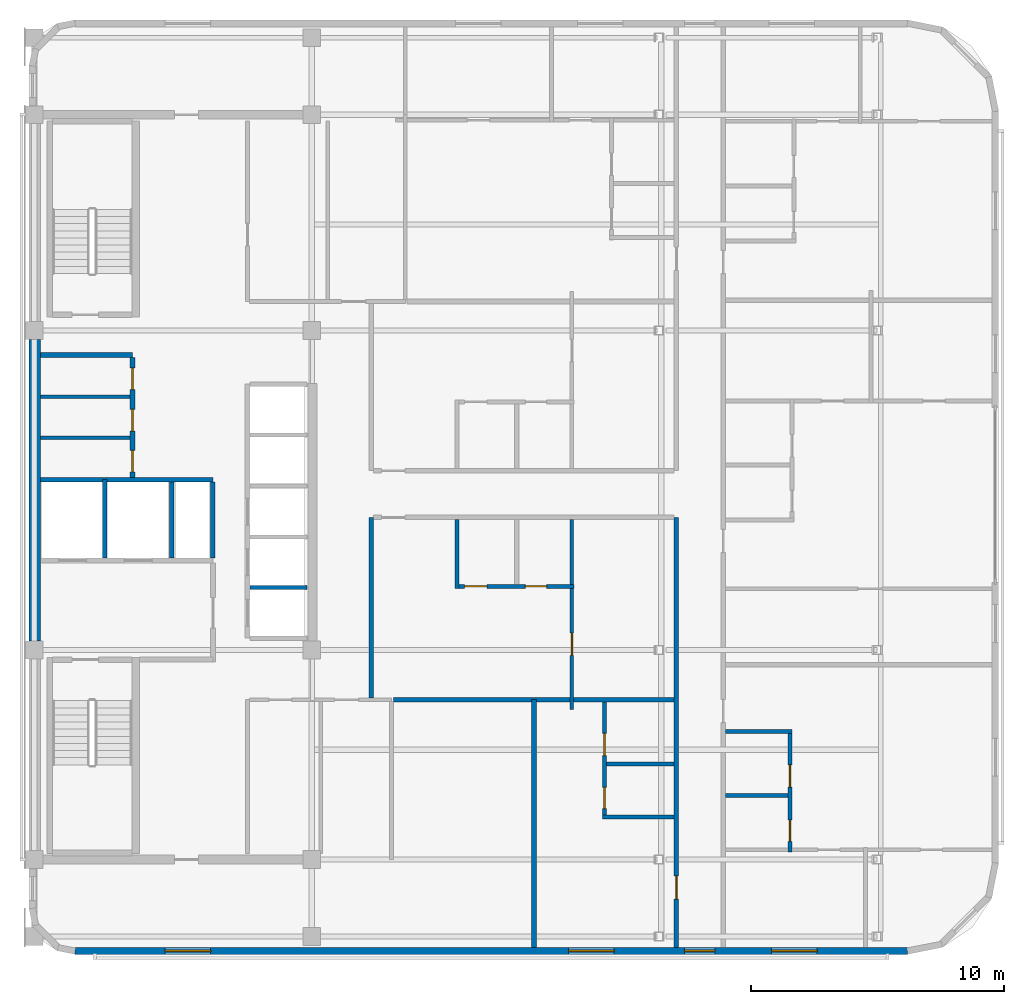
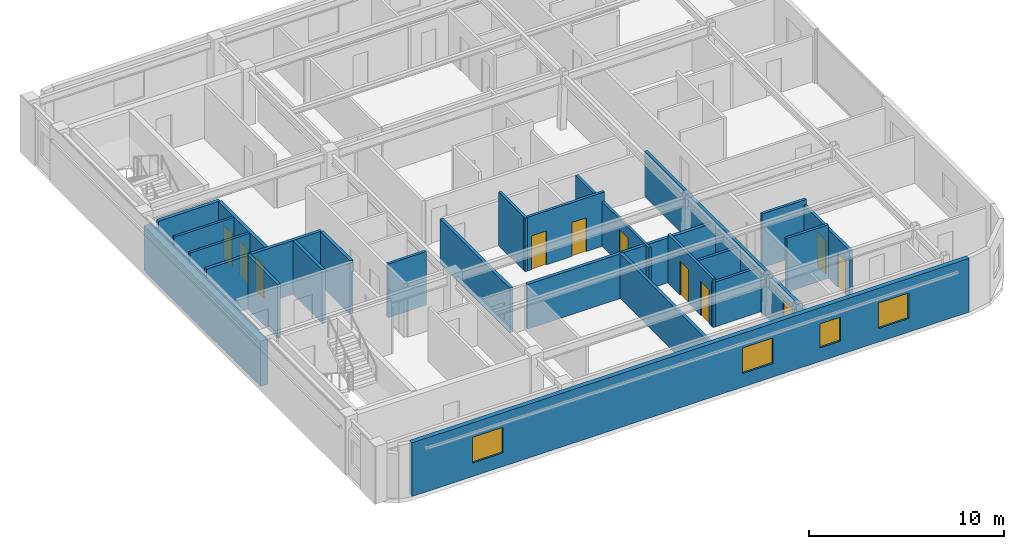
# One storey, part 4 of 10: 24 walls, 11 doors, 4 windows, 15 openings.
"""IFC4 building model written with IfcOpenShell, lengths in metres."""

from ifc_helpers import new_model, si_unit, direction, frame, frame_2d, origin, place, context, subcontext, project, spatial, rectangle, extrude, material, layer, layer_set, type_object, element, fill, save


model = new_model("IFC4")

# Units and contexts
model_context = context("Model", 3, precision=1e-05, world=origin(), true_north=direction((0.0, 1.0)))
body_context = subcontext(model_context, "Body", "Model", "MODEL_VIEW")
ifc_project = project(units=[si_unit("LENGTHUNIT", "METRE"), si_unit("AREAUNIT", "SQUARE_METRE"), si_unit("VOLUMEUNIT", "CUBIC_METRE"), si_unit("PLANEANGLEUNIT", "RADIAN"), si_unit("MASSUNIT", "GRAM", prefix="KILO")], contexts=[model_context])

# Site, building, storey
site_placement = place(None, origin())
site = spatial("IfcSite", under=ifc_project, at=site_placement, CompositionType="ELEMENT")
building_placement = place(site_placement, origin())
building = spatial("IfcBuilding", under=site, at=building_placement, Name="Ochreholt Gables", CompositionType="ELEMENT")
storey_placement = place(building_placement, frame((0.0, 0.0, 256.800048828125)))
storey = spatial("IfcBuildingStorey", under=building, at=storey_placement, Name="L67", CompositionType="ELEMENT", Elevation=256.800048828125)

# Wall
ifc_material_1 = material(Name="Concrete 50 MPa", Category="concrete")
ifc_layer_1 = layer(ifc_material_1, 0.449951171875, Name="Concrete 50 MPa")
ifc_layer_set_1 = layer_set([ifc_layer_1], Name="Concrete 50 MPa")
wall_type_1 = type_object("IfcWallType", Name="WALL-CSW-EXT", PredefinedType="SHEAR", material=ifc_layer_set_1)
wall_1_placement = place(storey_placement, frame((24.22509765625, 17.89990234375, 0.0), z_axis=(0.0, 0.0, 1.0), x_axis=(0.0, 1.0, 0.0)))
element("IfcWall", 1, at=wall_1_placement, inside=storey, type_object=wall_type_1, Name="L67 Core West Shear Wall WM", PredefinedType="SHEAR", context=body_context, shape_type="SweptSolid", body=[
    extrude(rectangle(XDim=11.9501953125, YDim=0.449951171875, at=frame_2d((5.97509765625, 0.0))), origin(), (0.0, 0.0, 1.0), 2.821044921875),
])

# Wall, openings, windows
ifc_material_2 = material(Name="Precast concrete 40 MPa", Category="concrete")
ifc_layer_2 = layer(ifc_material_2, 0.27001953125, Name="Precast concrete 40 MPa")
ifc_layer_set_2 = layer_set([ifc_layer_2], Name="Precast concrete 40 MPa")
wall_type_2 = type_object("IfcWallType", Name="WALL-EXT-270", PredefinedType="SOLIDWALL", material=ifc_layer_set_2)
wall_2_placement = place(storey_placement, frame((25.820068359375, 5.635009765625, 0.0), z_axis=(0.0, 0.0, 1.0), x_axis=(1.0, 0.0, 0.0)))
wall_2 = element("IfcWall", 2, at=wall_2_placement, inside=storey, type_object=wall_type_2, Name="L67 South Exterior Wall", PredefinedType="SOLIDWALL", context=body_context, shape_type="SweptSolid", body=[
    extrude(rectangle(XDim=32.9599609375, YDim=0.27001953125, at=frame_2d((16.47998046875, 0.0))), origin(), (0.0, 0.0, 1.0), 3.35986328125),
])
opening_1_placement = place(wall_2_placement, frame((3.570068359375, 0.0, 0.85009765625)))
opening_1 = element("IfcOpeningElement", 3, at=opening_1_placement, cuts=wall_2, Name="Opening WN-1", PredefinedType="OPENING", context=body_context, shape_type="SweptSolid", body=[
    extrude(rectangle(XDim=1.800048828125, YDim=1.60009765625, at=frame_2d((0.89990234375, 0.800048828125))), frame((0.0, 0.14501953125, 0.0), z_axis=(0.0, -1.0, 0.0), x_axis=(1.0, 0.0, 0.0)), (0.0, 0.0, 1.0), 0.2900390625),
])
opening_2_placement = place(wall_2_placement, frame((19.55029296875, 0.0, 0.85009765625)))
opening_2 = element("IfcOpeningElement", 4, at=opening_2_placement, cuts=wall_2, Name="Opening WN-1", PredefinedType="OPENING", context=body_context, shape_type="SweptSolid", body=[
    extrude(rectangle(XDim=1.800048828125, YDim=1.60009765625, at=frame_2d((0.89990234375, 0.800048828125))), frame((0.0, 0.14501953125, 0.0), z_axis=(0.0, -1.0, 0.0), x_axis=(1.0, 0.0, 0.0)), (0.0, 0.0, 1.0), 0.2900390625),
])
opening_3_placement = place(wall_2_placement, frame((24.14208984375, 0.0, 0.85009765625)))
opening_3 = element("IfcOpeningElement", 5, at=opening_3_placement, cuts=wall_2, Name="Opening WN-3", PredefinedType="OPENING", context=body_context, shape_type="SweptSolid", body=[
    extrude(rectangle(XDim=1.199951171875, YDim=1.5, at=frame_2d((0.60009765625, 0.75))), frame((0.0, 0.14501953125, 0.0), z_axis=(0.0, -1.0, 0.0), x_axis=(1.0, 0.0, 0.0)), (0.0, 0.0, 1.0), 0.2900390625),
])
opening_4_placement = place(wall_2_placement, frame((27.5869140625, 0.0, 0.85009765625)))
opening_4 = element("IfcOpeningElement", 6, at=opening_4_placement, cuts=wall_2, Name="Opening WN-1", PredefinedType="OPENING", context=body_context, shape_type="SweptSolid", body=[
    extrude(rectangle(XDim=1.800048828125, YDim=1.60009765625, at=frame_2d((0.89990234375, 0.800048828125))), frame((0.0, 0.14501953125, 0.0), z_axis=(0.0, -1.0, 0.0), x_axis=(1.0, 0.0, 0.0)), (0.0, 0.0, 1.0), 0.2900390625),
])
ifc_material_3 = material(Name="Triple-Glazed Thermally Broken Aluminium Window", Category="aluminium")
window_type_1 = type_object("IfcWindowType", Name="WIN-RES-1200", PartitioningType="SINGLE_PANEL", PredefinedType="WINDOW", material=ifc_material_3)
window_1_placement = place(opening_3_placement, origin())
window_1 = element("IfcWindow", 7, at=window_1_placement, inside=storey, type_object=window_type_1, Name="L67 Window W-EXT-S-L67-3", OverallHeight=1.5, OverallWidth=1.199951171875, PartitioningType="SINGLE_PANEL", PredefinedType="WINDOW", context=body_context, shape_type="SweptSolid", body=[
    extrude(rectangle(XDim=1.199951171875, YDim=1.5, at=frame_2d((0.60009765625, 0.75))), frame((0.0, 0.030029296875, 0.0), z_axis=(0.0, -1.0, 0.0), x_axis=(1.0, 0.0, 0.0)), (0.0, 0.0, 1.0), 0.06005859375),
])
fill(opening_3, window_1)
window_type_2 = type_object("IfcWindowType", Name="WIN-RES-1800", PartitioningType="SINGLE_PANEL", PredefinedType="WINDOW", material=ifc_material_3)
window_2_placement = place(opening_1_placement, origin())
window_2 = element("IfcWindow", 8, at=window_2_placement, inside=storey, type_object=window_type_2, Name="L67 Window W-EXT-S-L67-1", OverallHeight=1.60009765625, OverallWidth=1.800048828125, PartitioningType="SINGLE_PANEL", PredefinedType="WINDOW", context=body_context, shape_type="SweptSolid", body=[
    extrude(rectangle(XDim=1.800048828125, YDim=1.60009765625, at=frame_2d((0.89990234375, 0.800048828125))), frame((0.0, 0.030029296875, 0.0), z_axis=(0.0, -1.0, 0.0), x_axis=(1.0, 0.0, 0.0)), (0.0, 0.0, 1.0), 0.06005859375),
])
fill(opening_1, window_2)
window_3_placement = place(opening_2_placement, origin())
window_3 = element("IfcWindow", 9, at=window_3_placement, inside=storey, type_object=window_type_2, Name="L67 Window W-EXT-S-L67-2", OverallHeight=1.60009765625, OverallWidth=1.800048828125, PartitioningType="SINGLE_PANEL", PredefinedType="WINDOW", context=body_context, shape_type="SweptSolid", body=[
    extrude(rectangle(XDim=1.800048828125, YDim=1.60009765625, at=frame_2d((0.89990234375, 0.800048828125))), frame((0.0, 0.030029296875, 0.0), z_axis=(0.0, -1.0, 0.0), x_axis=(1.0, 0.0, 0.0)), (0.0, 0.0, 1.0), 0.06005859375),
])
fill(opening_2, window_3)
window_4_placement = place(opening_4_placement, origin())
window_4 = element("IfcWindow", 10, at=window_4_placement, inside=storey, type_object=window_type_2, Name="L67 Window W-EXT-S-L67-4", OverallHeight=1.60009765625, OverallWidth=1.800048828125, PartitioningType="SINGLE_PANEL", PredefinedType="WINDOW", context=body_context, shape_type="SweptSolid", body=[
    extrude(rectangle(XDim=1.800048828125, YDim=1.60009765625, at=frame_2d((0.89990234375, 0.800048828125))), frame((0.0, 0.030029296875, 0.0), z_axis=(0.0, -1.0, 0.0), x_axis=(1.0, 0.0, 0.0)), (0.0, 0.0, 1.0), 0.06005859375),
])
fill(opening_4, window_4)

# Wall
ifc_material_4 = material(Name="Concrete 40 MPa", Category="concrete")
ifc_layer_3 = layer(ifc_material_4, 0.199951171875, Name="Concrete 40 MPa")
ifc_layer_set_3 = layer_set([ifc_layer_3], Name="Concrete 40 MPa")
wall_type_3 = type_object("IfcWallType", Name="WALL-INT-CF200", PredefinedType="STANDARD", material=ifc_layer_set_3)
wall_3_placement = place(storey_placement, frame((24.449951171875, 29.239990234375, 0.0), z_axis=(0.0, 0.0, 1.0), x_axis=(1.0, 0.0, 0.0)))
element("IfcWall", 11, at=wall_3_placement, inside=storey, type_object=wall_type_3, Name="L67 Interior Wall WI-SRVN-L67", PredefinedType="STANDARD", context=body_context, shape_type="SweptSolid", body=[
    extrude(rectangle(XDim=3.650146484375, YDim=0.199951171875, at=frame_2d((1.8251953125, 0.0))), origin(), (0.0, 0.0, 1.0), 3.35986328125),
])

# Wall, openings, doors
wall_4_placement = place(storey_placement, frame((28.10009765625, 24.389892578125, 0.0), z_axis=(0.0, 0.0, 1.0), x_axis=(0.0, 1.0, 0.0)))
wall_4 = element("IfcWall", 12, at=wall_4_placement, inside=storey, type_object=wall_type_3, Name="L67 Interior Wall WI-SRVE-L67", PredefinedType="STANDARD", context=body_context, shape_type="SweptSolid", body=[
    extrude(rectangle(XDim=4.75, YDim=0.199951171875, at=frame_2d((2.375, 0.0))), origin(), (0.0, 0.0, 1.0), 3.35986328125),
])
opening_5_placement = place(wall_4_placement, frame((0.2099609375, 0.0, 0.0)))
opening_5 = element("IfcOpeningElement", 13, at=opening_5_placement, cuts=wall_4, Name="Opening D-SV2", PredefinedType="OPENING", context=body_context, shape_type="SweptSolid", body=[
    extrude(rectangle(XDim=0.860107421875, YDim=2.10009765625, at=frame_2d((0.43017578125, 1.050048828125))), frame((0.0, 0.10986328125, 0.0), z_axis=(0.0, -1.0, 0.0), x_axis=(1.0, 0.0, 0.0)), (0.0, 0.0, 1.0), 0.219970703125),
])
opening_6_placement = place(wall_4_placement, frame((1.830078125, 0.0, 0.0)))
opening_6 = element("IfcOpeningElement", 14, at=opening_6_placement, cuts=wall_4, Name="Opening D-SV2", PredefinedType="OPENING", context=body_context, shape_type="SweptSolid", body=[
    extrude(rectangle(XDim=0.860107421875, YDim=2.10009765625, at=frame_2d((0.43017578125, 1.050048828125))), frame((0.0, 0.10986328125, 0.0), z_axis=(0.0, -1.0, 0.0), x_axis=(1.0, 0.0, 0.0)), (0.0, 0.0, 1.0), 0.219970703125),
])
opening_7_placement = place(wall_4_placement, frame((3.469970703125, 0.0, 0.0)))
opening_7 = element("IfcOpeningElement", 15, at=opening_7_placement, cuts=wall_4, Name="Opening D-SV2", PredefinedType="OPENING", context=body_context, shape_type="SweptSolid", body=[
    extrude(rectangle(XDim=0.860107421875, YDim=2.10009765625, at=frame_2d((0.43017578125, 1.050048828125))), frame((0.0, 0.10986328125, 0.0), z_axis=(0.0, -1.0, 0.0), x_axis=(1.0, 0.0, 0.0)), (0.0, 0.0, 1.0), 0.219970703125),
])
ifc_material_5 = material(Name="Hollow Metal Steel", Category="steel")
door_type_1 = type_object("IfcDoorType", Name="DR-INT-SRV860", OperationType="NOTDEFINED", PredefinedType="DOOR", material=ifc_material_5)
door_1_placement = place(opening_5_placement, origin())
door_1 = element("IfcDoor", 16, at=door_1_placement, inside=storey, type_object=door_type_1, Name="L67 Door D-SRV1-L67", OperationType="SINGLE_SWING_LEFT", OverallHeight=2.10009765625, OverallWidth=0.860107421875, PredefinedType="DOOR", context=body_context, shape_type="SweptSolid", body=[
    extrude(rectangle(XDim=0.860107421875, YDim=2.10009765625, at=frame_2d((0.43017578125, 1.050048828125))), frame((0.0, 0.02490234375, 0.0), z_axis=(0.0, -1.0, 0.0), x_axis=(1.0, 0.0, 0.0)), (0.0, 0.0, 1.0), 0.050048828125),
])
fill(opening_5, door_1)
door_2_placement = place(opening_6_placement, origin())
door_2 = element("IfcDoor", 17, at=door_2_placement, inside=storey, type_object=door_type_1, Name="L67 Door D-SRV2-L67", OperationType="SINGLE_SWING_RIGHT", OverallHeight=2.10009765625, OverallWidth=0.860107421875, PredefinedType="DOOR", context=body_context, shape_type="SweptSolid", body=[
    extrude(rectangle(XDim=0.860107421875, YDim=2.10009765625, at=frame_2d((0.43017578125, 1.050048828125))), frame((0.0, 0.02490234375, 0.0), z_axis=(0.0, -1.0, 0.0), x_axis=(1.0, 0.0, 0.0)), (0.0, 0.0, 1.0), 0.050048828125),
])
fill(opening_6, door_2)
door_3_placement = place(opening_7_placement, origin())
door_3 = element("IfcDoor", 18, at=door_3_placement, inside=storey, type_object=door_type_1, Name="L67 Door D-SRV3-L67", OperationType="SINGLE_SWING_LEFT", OverallHeight=2.10009765625, OverallWidth=0.860107421875, PredefinedType="DOOR", context=body_context, shape_type="SweptSolid", body=[
    extrude(rectangle(XDim=0.860107421875, YDim=2.10009765625, at=frame_2d((0.43017578125, 1.050048828125))), frame((0.0, 0.02490234375, 0.0), z_axis=(0.0, -1.0, 0.0), x_axis=(1.0, 0.0, 0.0)), (0.0, 0.0, 1.0), 0.050048828125),
])
fill(opening_7, door_3)

# Wall
ifc_material_6 = material(Name="Fire-Rated Gypsum Acoustic Partition", Category="gypsum")
ifc_layer_4 = layer(ifc_material_6, 0.179931640625, Name="Fire-Rated Gypsum Acoustic Partition")
ifc_layer_set_4 = layer_set([ifc_layer_4], Name="Fire-Rated Gypsum Acoustic Partition")
wall_type_4 = type_object("IfcWallType", Name="WALL-INT-CR180", PredefinedType="STANDARD", material=ifc_layer_set_4)
wall_5_placement = place(storey_placement, frame((37.550048828125, 15.652587890625, 0.0), z_axis=(0.0, 0.0, 1.0), x_axis=(0.0, 1.0, 0.0)))
element("IfcWall", 19, at=wall_5_placement, inside=storey, type_object=wall_type_4, Name="L67 Interior Wall WI-C3CE0-L67", PredefinedType="STANDARD", context=body_context, shape_type="SweptSolid", body=[
    extrude(rectangle(XDim=7.1474609375, YDim=0.179931640625, at=frame_2d((3.57373046875, 0.0))), origin(), (0.0, 0.0, 1.0), 2.802978515625),
])

# Wall, opening, door
wall_6_placement = place(storey_placement, frame((49.636962890625, 5.77001953125, 0.0), z_axis=(0.0, 0.0, 1.0), x_axis=(0.0, 1.0, 0.0)))
wall_6 = element("IfcWall", 20, at=wall_6_placement, inside=storey, type_object=wall_type_4, Name="L67 Interior Wall WI-C3GW0-L67", PredefinedType="STANDARD", context=body_context, shape_type="SweptSolid", body=[
    extrude(rectangle(XDim=17.030029296875, YDim=0.179931640625, at=frame_2d((8.51513671875, 0.0))), origin(), (0.0, 0.0, 1.0), 2.802978515625),
])
opening_8_placement = place(wall_6_placement, frame((1.909912109375, 0.0, 0.0)))
opening_8 = element("IfcOpeningElement", 21, at=opening_8_placement, cuts=wall_6, Name="Opening D-UN1", PredefinedType="OPENING", context=body_context, shape_type="SweptSolid", body=[
    extrude(rectangle(XDim=0.919921875, YDim=2.14990234375, at=frame_2d((0.4599609375, 1.074951171875))), frame((0.0, 0.099853515625, 0.0), z_axis=(0.0, -1.0, 0.0), x_axis=(1.0, 0.0, 0.0)), (0.0, 0.0, 1.0), 0.199951171875),
])
ifc_material_7 = material(Name="Engineered Oak Timber", Category="wood")
door_type_2 = type_object("IfcDoorType", Name="DR-INT-UNT920", OperationType="NOTDEFINED", PredefinedType="DOOR", material=ifc_material_7)
door_4_placement = place(opening_8_placement, origin())
door_4 = element("IfcDoor", 22, at=door_4_placement, inside=storey, type_object=door_type_2, Name="L67 Door D-U-L67SM1-ENT", OperationType="SINGLE_SWING_LEFT", OverallHeight=2.14990234375, OverallWidth=0.919921875, PredefinedType="DOOR", context=body_context, shape_type="SweptSolid", body=[
    extrude(rectangle(XDim=0.919921875, YDim=2.14990234375, at=frame_2d((0.4599609375, 1.074951171875))), frame((0.0, 0.02490234375, 0.0), z_axis=(0.0, -1.0, 0.0), x_axis=(1.0, 0.0, 0.0)), (0.0, 0.0, 1.0), 0.050048828125),
])
fill(opening_8, door_4)

# Walls
ifc_material_8 = material(Name="Double-Stud Acoustic Demising Wall", Category="gypsum")
ifc_layer_5 = layer(ifc_material_8, 0.18505859375, Name="Double-Stud Acoustic Demising Wall")
ifc_layer_set_5 = layer_set([ifc_layer_5], Name="Double-Stud Acoustic Demising Wall")
wall_type_5 = type_object("IfcWallType", Name="WALL-INT-DM185", PredefinedType="PARTITIONING", material=ifc_layer_set_5)
wall_7_placement = place(storey_placement, frame((43.993408203125, 5.77001953125, 0.0), z_axis=(0.0, 0.0, 1.0), x_axis=(0.0, 1.0, 0.0)))
element("IfcWall", 23, at=wall_7_placement, inside=storey, type_object=wall_type_5, Name="L67 Interior Wall WI-C3SMX-L67", PredefinedType="PARTITIONING", context=body_context, shape_type="SweptSolid", body=[
    extrude(rectangle(XDim=9.81005859375, YDim=0.18505859375, at=frame_2d((4.905029296875, 0.0))), origin(), (0.0, 0.0, 1.0), 2.802978515625),
])
wall_8_placement = place(storey_placement, frame((38.422607421875, 15.580078125, 0.0), z_axis=(0.0, 0.0, 1.0), x_axis=(1.0, 0.0, 0.0)))
element("IfcWall", 24, at=wall_8_placement, inside=storey, type_object=wall_type_5, Name="L67 Interior Wall WI-C3SMY-L67", PredefinedType="PARTITIONING", context=body_context, shape_type="SweptSolid", body=[
    extrude(rectangle(XDim=11.12451171875, YDim=0.18505859375, at=frame_2d((5.562255859375, 0.0))), origin(), (0.0, 0.0, 1.0), 2.802978515625),
])
ifc_material_9 = material(Name="Moisture-Resistant Plumbing Chase Wall", Category="gypsum")
ifc_layer_6 = layer(ifc_material_9, 0.159912109375, Name="Moisture-Resistant Plumbing Chase Wall")
ifc_layer_set_6 = layer_set([ifc_layer_6], Name="Moisture-Resistant Plumbing Chase Wall")
wall_type_6 = type_object("IfcWallType", Name="WALL-INT-PL160", PredefinedType="PLUMBINGWALL", material=ifc_layer_set_6)
wall_9_placement = place(storey_placement, frame((51.576904296875, 14.3173828125, 0.0), z_axis=(0.0, 0.0, 1.0), x_axis=(1.0, 0.0, 0.0)))
element("IfcWall", 25, at=wall_9_placement, inside=storey, type_object=wall_type_6, Name="L67 Interior Wall WU-L67E1-FYN", PredefinedType="PLUMBINGWALL", context=body_context, shape_type="SweptSolid", body=[
    extrude(rectangle(XDim=2.635986328125, YDim=0.159912109375, at=frame_2d((1.31787109375, 0.0))), origin(), (0.0, 0.0, 1.0), 3.35986328125),
])

# Wall, openings, doors
wall_10_placement = place(storey_placement, frame((54.133056640625, 9.549072265625, 0.0), z_axis=(0.0, 0.0, 1.0), x_axis=(0.0, 1.0, 0.0)))
wall_10 = element("IfcWall", 26, at=wall_10_placement, inside=storey, type_object=wall_type_6, Name="L67 Interior Wall WU-L67E1-WX", PredefinedType="PLUMBINGWALL", context=body_context, shape_type="SweptSolid", body=[
    extrude(rectangle(XDim=4.8583984375, YDim=0.159912109375, at=frame_2d((2.42919921875, 0.0))), origin(), (0.0, 0.0, 1.0), 3.0390625),
])
opening_9_placement = place(wall_10_placement, frame((0.419921875, 0.0, 0.0)))
opening_9 = element("IfcOpeningElement", 27, at=opening_9_placement, cuts=wall_10, Name="Opening D-BT2", PredefinedType="OPENING", context=body_context, shape_type="SweptSolid", body=[
    extrude(rectangle(XDim=0.840087890625, YDim=2.1201171875, at=frame_2d((0.419921875, 1.06005859375))), frame((0.0, 0.08984375, 0.0), z_axis=(0.0, -1.0, 0.0), x_axis=(1.0, 0.0, 0.0)), (0.0, 0.0, 1.0), 0.179931640625),
])
opening_10_placement = place(wall_10_placement, frame((2.572021484375, 0.0, 0.0)))
opening_10 = element("IfcOpeningElement", 28, at=opening_10_placement, cuts=wall_10, Name="Opening D-GN2", PredefinedType="OPENING", context=body_context, shape_type="SweptSolid", body=[
    extrude(rectangle(XDim=0.8798828125, YDim=2.1201171875, at=frame_2d((0.43994140625, 1.06005859375))), frame((0.0, 0.08984375, 0.0), z_axis=(0.0, -1.0, 0.0), x_axis=(1.0, 0.0, 0.0)), (0.0, 0.0, 1.0), 0.179931640625),
])
door_type_3 = type_object("IfcDoorType", Name="DR-INT-BTH840", OperationType="NOTDEFINED", PredefinedType="DOOR", material=ifc_material_7)
door_5_placement = place(opening_9_placement, origin())
door_5 = element("IfcDoor", 29, at=door_5_placement, inside=storey, type_object=door_type_3, Name="L67 Door D-U-L67E1-BTH", OperationType="SINGLE_SWING_LEFT", OverallHeight=2.1201171875, OverallWidth=0.840087890625, PredefinedType="DOOR", context=body_context, shape_type="SweptSolid", body=[
    extrude(rectangle(XDim=0.840087890625, YDim=2.1201171875, at=frame_2d((0.419921875, 1.06005859375))), frame((0.0, 0.02490234375, 0.0), z_axis=(0.0, -1.0, 0.0), x_axis=(1.0, 0.0, 0.0)), (0.0, 0.0, 1.0), 0.050048828125),
])
fill(opening_9, door_5)
door_type_4 = type_object("IfcDoorType", Name="DR-INT-GEN880", OperationType="NOTDEFINED", PredefinedType="DOOR", material=ifc_material_7)
door_6_placement = place(opening_10_placement, origin())
door_6 = element("IfcDoor", 30, at=door_6_placement, inside=storey, type_object=door_type_4, Name="L67 Door D-U-L67E1-KIT", OperationType="SINGLE_SWING_RIGHT", OverallHeight=2.1201171875, OverallWidth=0.8798828125, PredefinedType="DOOR", context=body_context, shape_type="SweptSolid", body=[
    extrude(rectangle(XDim=0.8798828125, YDim=2.1201171875, at=frame_2d((0.43994140625, 1.06005859375))), frame((0.0, 0.02490234375, 0.0), z_axis=(0.0, -1.0, 0.0), x_axis=(1.0, 0.0, 0.0)), (0.0, 0.0, 1.0), 0.050048828125),
])
fill(opening_10, door_6)

# Walls
wall_11_placement = place(storey_placement, frame((51.576904296875, 11.791015625, 0.0), z_axis=(0.0, 0.0, 1.0), x_axis=(1.0, 0.0, 0.0)))
element("IfcWall", 31, at=wall_11_placement, inside=storey, type_object=wall_type_6, Name="L67 Interior Wall WU-L67E1-WK", PredefinedType="PLUMBINGWALL", context=body_context, shape_type="SweptSolid", body=[
    extrude(rectangle(XDim=2.47607421875, YDim=0.159912109375, at=frame_2d((1.238037109375, 0.0))), origin(), (0.0, 0.0, 1.0), 3.35986328125),
])
wall_12_placement = place(storey_placement, frame((46.712890625, 10.93994140625, 0.0), z_axis=(0.0, 0.0, 1.0), x_axis=(1.0, 0.0, 0.0)))
element("IfcWall", 32, at=wall_12_placement, inside=storey, type_object=wall_type_6, Name="L67 Interior Wall WU-L67SM1-WYS", PredefinedType="PLUMBINGWALL", context=body_context, shape_type="SweptSolid", body=[
    extrude(rectangle(XDim=2.834228515625, YDim=0.159912109375, at=frame_2d((1.4169921875, 0.0))), origin(), (0.0, 0.0, 1.0), 2.802978515625),
])

# Wall, openings, doors
wall_13_placement = place(storey_placement, frame((46.79296875, 10.85009765625, 0.0), z_axis=(0.0, 0.0, 1.0), x_axis=(0.0, 1.0, 0.0)))
wall_13 = element("IfcWall", 33, at=wall_13_placement, inside=storey, type_object=wall_type_6, Name="L67 Interior Wall WU-L67SM1-WX", PredefinedType="PLUMBINGWALL", context=body_context, shape_type="SweptSolid", body=[
    extrude(rectangle(XDim=4.637451171875, YDim=0.159912109375, at=frame_2d((2.31884765625, 0.0))), origin(), (0.0, 0.0, 1.0), 3.0390625),
])
opening_11_placement = place(wall_13_placement, frame((0.419921875, 0.0, 0.0)))
opening_11 = element("IfcOpeningElement", 34, at=opening_11_placement, cuts=wall_13, Name="Opening D-BT2", PredefinedType="OPENING", context=body_context, shape_type="SweptSolid", body=[
    extrude(rectangle(XDim=0.840087890625, YDim=2.1201171875, at=frame_2d((0.419921875, 1.06005859375))), frame((0.0, 0.08984375, 0.0), z_axis=(0.0, -1.0, 0.0), x_axis=(1.0, 0.0, 0.0)), (0.0, 0.0, 1.0), 0.179931640625),
])
opening_12_placement = place(wall_13_placement, frame((2.512939453125, 0.0, 0.0)))
opening_12 = element("IfcOpeningElement", 35, at=opening_12_placement, cuts=wall_13, Name="Opening D-GN2", PredefinedType="OPENING", context=body_context, shape_type="SweptSolid", body=[
    extrude(rectangle(XDim=0.8798828125, YDim=2.1201171875, at=frame_2d((0.43994140625, 1.06005859375))), frame((0.0, 0.08984375, 0.0), z_axis=(0.0, -1.0, 0.0), x_axis=(1.0, 0.0, 0.0)), (0.0, 0.0, 1.0), 0.179931640625),
])
door_7_placement = place(opening_11_placement, origin())
door_7 = element("IfcDoor", 36, at=door_7_placement, inside=storey, type_object=door_type_3, Name="L67 Door D-U-L67SM1-BTH", OperationType="SINGLE_SWING_RIGHT", OverallHeight=2.1201171875, OverallWidth=0.840087890625, PredefinedType="DOOR", context=body_context, shape_type="SweptSolid", body=[
    extrude(rectangle(XDim=0.840087890625, YDim=2.1201171875, at=frame_2d((0.419921875, 1.06005859375))), frame((0.0, 0.02490234375, 0.0), z_axis=(0.0, -1.0, 0.0), x_axis=(1.0, 0.0, 0.0)), (0.0, 0.0, 1.0), 0.050048828125),
])
fill(opening_11, door_7)
door_8_placement = place(opening_12_placement, origin())
door_8 = element("IfcDoor", 37, at=door_8_placement, inside=storey, type_object=door_type_4, Name="L67 Door D-U-L67SM1-KIT", OperationType="SINGLE_SWING_LEFT", OverallHeight=2.1201171875, OverallWidth=0.8798828125, PredefinedType="DOOR", context=body_context, shape_type="SweptSolid", body=[
    extrude(rectangle(XDim=0.8798828125, YDim=2.1201171875, at=frame_2d((0.43994140625, 1.06005859375))), frame((0.0, 0.02490234375, 0.0), z_axis=(0.0, -1.0, 0.0), x_axis=(1.0, 0.0, 0.0)), (0.0, 0.0, 1.0), 0.050048828125),
])
fill(opening_12, door_8)

# Wall
wall_14_placement = place(storey_placement, frame((46.873046875, 13.032958984375, 0.0), z_axis=(0.0, 0.0, 1.0), x_axis=(1.0, 0.0, 0.0)))
element("IfcWall", 38, at=wall_14_placement, inside=storey, type_object=wall_type_6, Name="L67 Interior Wall WU-L67SM1-WM", PredefinedType="PLUMBINGWALL", context=body_context, shape_type="SweptSolid", body=[
    extrude(rectangle(XDim=2.674072265625, YDim=0.159912109375, at=frame_2d((1.3369140625, 0.0))), origin(), (0.0, 0.0, 1.0), 2.802978515625),
])

# Wall, openings, doors
wall_15_placement = place(storey_placement, frame((40.866943359375, 20.070068359375, 0.0), z_axis=(0.0, 0.0, 1.0), x_axis=(1.0, 0.0, 0.0)))
wall_15 = element("IfcWall", 39, at=wall_15_placement, inside=storey, type_object=wall_type_6, Name="L67 Interior Wall WU-L67SM2-WY", PredefinedType="PLUMBINGWALL", context=body_context, shape_type="SweptSolid", body=[
    extrude(rectangle(XDim=4.7099609375, YDim=0.159912109375, at=frame_2d((2.35498046875, 0.0))), origin(), (0.0, 0.0, 1.0), 3.35986328125),
])
opening_13_placement = place(wall_15_placement, frame((0.3798828125, 0.0, 0.0)))
opening_13 = element("IfcOpeningElement", 40, at=opening_13_placement, cuts=wall_15, Name="Opening D-GN2", PredefinedType="OPENING", context=body_context, shape_type="SweptSolid", body=[
    extrude(rectangle(XDim=0.8798828125, YDim=2.1201171875, at=frame_2d((0.43994140625, 1.06005859375))), frame((0.0, 0.08984375, 0.0), z_axis=(0.0, -1.0, 0.0), x_axis=(1.0, 0.0, 0.0)), (0.0, 0.0, 1.0), 0.179931640625),
])
opening_14_placement = place(wall_15_placement, frame((2.785888671875, 0.0, 0.0)))
opening_14 = element("IfcOpeningElement", 41, at=opening_14_placement, cuts=wall_15, Name="Opening D-BT2", PredefinedType="OPENING", context=body_context, shape_type="SweptSolid", body=[
    extrude(rectangle(XDim=0.840087890625, YDim=2.1201171875, at=frame_2d((0.419921875, 1.06005859375))), frame((0.0, 0.08984375, 0.0), z_axis=(0.0, -1.0, 0.0), x_axis=(1.0, 0.0, 0.0)), (0.0, 0.0, 1.0), 0.179931640625),
])
door_9_placement = place(opening_14_placement, origin())
door_9 = element("IfcDoor", 42, at=door_9_placement, inside=storey, type_object=door_type_3, Name="L67 Door D-U-L67SM2-BTH", OperationType="SINGLE_SWING_LEFT", OverallHeight=2.1201171875, OverallWidth=0.840087890625, PredefinedType="DOOR", context=body_context, shape_type="SweptSolid", body=[
    extrude(rectangle(XDim=0.840087890625, YDim=2.1201171875, at=frame_2d((0.419921875, 1.06005859375))), frame((0.0, 0.02490234375, 0.0), z_axis=(0.0, -1.0, 0.0), x_axis=(1.0, 0.0, 0.0)), (0.0, 0.0, 1.0), 0.050048828125),
])
fill(opening_14, door_9)
door_10_placement = place(opening_13_placement, origin())
door_10 = element("IfcDoor", 43, at=door_10_placement, inside=storey, type_object=door_type_4, Name="L67 Door D-U-L67SM2-KIT", OperationType="SINGLE_SWING_RIGHT", OverallHeight=2.1201171875, OverallWidth=0.8798828125, PredefinedType="DOOR", context=body_context, shape_type="SweptSolid", body=[
    extrude(rectangle(XDim=0.8798828125, YDim=2.1201171875, at=frame_2d((0.43994140625, 1.06005859375))), frame((0.0, 0.02490234375, 0.0), z_axis=(0.0, -1.0, 0.0), x_axis=(1.0, 0.0, 0.0)), (0.0, 0.0, 1.0), 0.050048828125),
])
fill(opening_13, door_10)

# Walls
wall_16_placement = place(storey_placement, frame((40.947021484375, 19.989990234375, 0.0), z_axis=(0.0, 0.0, 1.0), x_axis=(0.0, 1.0, 0.0)))
element("IfcWall", 44, at=wall_16_placement, inside=storey, type_object=wall_type_6, Name="L67 Interior Wall WU-L67SM2-FY", PredefinedType="PLUMBINGWALL", context=body_context, shape_type="SweptSolid", body=[
    extrude(rectangle(XDim=2.719970703125, YDim=0.159912109375, at=frame_2d((1.35986328125, 0.0))), origin(), (0.0, 0.0, 1.0), 3.35986328125),
])
ifc_material_10 = material(Name="Lightweight Stud Partition", Category="gypsum")
ifc_layer_7 = layer(ifc_material_10, 0.14501953125, Name="Lightweight Stud Partition")
ifc_layer_set_7 = layer_set([ifc_layer_7], Name="Lightweight Stud Partition")
wall_type_7 = type_object("IfcWallType", Name="WALL-INT-PT145", PredefinedType="PARTITIONING", material=ifc_layer_set_7)
for number, where, z_axis, x_axis, name in (
    (45, (24.449951171875, 25.949951171875, 0.0), (0.0, 0.0, 1.0), (1.0, 0.0, 0.0), "L67 Interior Wall WI-SRVP1-L67"),
    (46, (24.449951171875, 27.580078125, 0.0), (0.0, 0.0, 1.0), (1.0, 0.0, 0.0), "L67 Interior Wall WI-SRVP2-L67"),
):
    element("IfcWall", number, at=place(storey_placement, frame(where, z_axis=z_axis, x_axis=x_axis)), inside=storey, type_object=wall_type_7, Name=name, PredefinedType="PARTITIONING", context=body_context, shape_type="SweptSolid", body=[
        extrude(rectangle(XDim=3.550048828125, YDim=0.14501953125, at=frame_2d((1.77490234375, 0.0))), origin(), (0.0, 0.0, 1.0), 3.35986328125),
    ])

# Wall, opening, door
wall_17_placement = place(storey_placement, frame((45.4970703125, 15.18994140625, 0.0), z_axis=(0.0, 0.0, 1.0), x_axis=(0.0, 1.0, 0.0)))
wall_17 = element("IfcWall", 47, at=wall_17_placement, inside=storey, type_object=wall_type_7, Name="L67 Interior Wall WU-L67SM2-MNX", PredefinedType="PARTITIONING", context=body_context, shape_type="SweptSolid", body=[
    extrude(rectangle(XDim=7.52001953125, YDim=0.14501953125, at=frame_2d((3.760009765625, 0.0))), origin(), (0.0, 0.0, 1.0), 2.802978515625),
])
opening_15_placement = place(wall_17_placement, frame((2.14990234375, 0.0, 0.0)))
opening_15 = element("IfcOpeningElement", 48, at=opening_15_placement, cuts=wall_17, Name="Opening D-BD2", PredefinedType="OPENING", context=body_context, shape_type="SweptSolid", body=[
    extrude(rectangle(XDim=0.8798828125, YDim=2.139892578125, at=frame_2d((0.43994140625, 1.06982421875))), frame((0.0, 0.08251953125, 0.0), z_axis=(0.0, -1.0, 0.0), x_axis=(1.0, 0.0, 0.0)), (0.0, 0.0, 1.0), 0.1650390625),
])
door_type_5 = type_object("IfcDoorType", Name="DR-INT-BED880", OperationType="NOTDEFINED", PredefinedType="DOOR", material=ifc_material_7)
door_11_placement = place(opening_15_placement, origin())
door_11 = element("IfcDoor", 49, at=door_11_placement, inside=storey, type_object=door_type_5, Name="L67 Door D-U-L67SM2-BD1", OperationType="SINGLE_SWING_RIGHT", OverallHeight=2.139892578125, OverallWidth=0.8798828125, PredefinedType="DOOR", context=body_context, shape_type="SweptSolid", body=[
    extrude(rectangle(XDim=0.8798828125, YDim=2.139892578125, at=frame_2d((0.43994140625, 1.06982421875))), frame((0.0, 0.02490234375, 0.0), z_axis=(0.0, -1.0, 0.0), x_axis=(1.0, 0.0, 0.0)), (0.0, 0.0, 1.0), 0.050048828125),
])
fill(opening_15, door_11)

# Walls
ifc_material_11 = material(Name="Gypsum Shaftliner and Steel Stud", Category="steel")
ifc_layer_8 = layer(ifc_material_11, 0.14990234375, Name="Gypsum Shaftliner and Steel Stud")
ifc_layer_set_8 = layer_set([ifc_layer_8], Name="Gypsum Shaftliner and Steel Stud")
wall_type_8 = type_object("IfcWallType", Name="WALL-INT-SH150", PredefinedType="STANDARD", material=ifc_layer_set_8)
wall_18_placement = place(storey_placement, frame((32.739990234375, 20.02001953125, 0.0), z_axis=(0.0, 0.0, 1.0), x_axis=(1.0, 0.0, 0.0)))
element("IfcWall", 50, at=wall_18_placement, inside=storey, type_object=wall_type_8, Name="L67 Interior Wall WI-LFHE-DH1-L67", PredefinedType="STANDARD", context=body_context, shape_type="SweptSolid", body=[
    extrude(rectangle(XDim=2.260009765625, YDim=0.14990234375, at=frame_2d((1.1298828125, 0.0))), origin(), (0.0, 0.0, 1.0), 3.35986328125),
])
ifc_layer_9 = layer(ifc_material_11, 0.179931640625, Name="Gypsum Shaftliner and Steel Stud")
ifc_layer_set_9 = layer_set([ifc_layer_9], Name="Gypsum Shaftliner and Steel Stud")
wall_type_9 = type_object("IfcWallType", Name="WALL-INT-SH180", PredefinedType="STANDARD", material=ifc_layer_set_9)
wall_19_placement = place(storey_placement, frame((27.0, 21.18994140625, 0.0), z_axis=(0.0, 0.0, 1.0), x_axis=(0.0, 1.0, 0.0)))
element("IfcWall", 51, at=wall_19_placement, inside=storey, type_object=wall_type_9, Name="L67 Interior Wall WI-FFDIV-L67", PredefinedType="STANDARD", context=body_context, shape_type="SweptSolid", body=[
    extrude(rectangle(XDim=3.110107421875, YDim=0.179931640625, at=frame_2d((1.55517578125, 0.0))), origin(), (0.0, 0.0, 1.0), 3.35986328125),
])
wall_20_placement = place(storey_placement, frame((24.449951171875, 24.300048828125, 0.0), z_axis=(0.0, 0.0, 1.0), x_axis=(1.0, 0.0, 0.0)))
element("IfcWall", 52, at=wall_20_placement, inside=storey, type_object=wall_type_9, Name="L67 Interior Wall WI-FFBK-L67", PredefinedType="STANDARD", context=body_context, shape_type="SweptSolid", body=[
    extrude(rectangle(XDim=6.830078125, YDim=0.179931640625, at=frame_2d((3.4150390625, 0.0))), origin(), (0.0, 0.0, 1.0), 3.35986328125),
])
for number, where, z_axis, x_axis, name in (
    (53, (29.64990234375, 21.18994140625, 0.0), (0.0, 0.0, 1.0), (0.0, 1.0, 0.0), "L67 Interior Wall WI-FFSH-L67"),
    (54, (31.280029296875, 21.18994140625, 0.0), (0.0, 0.0, 1.0), (0.0, 1.0, 0.0), "L67 Interior Wall WI-RSE-L67"),
):
    element("IfcWall", number, at=place(storey_placement, frame(where, z_axis=z_axis, x_axis=x_axis)), inside=storey, type_object=wall_type_9, Name=name, PredefinedType="STANDARD", context=body_context, shape_type="SweptSolid", body=[
        extrude(rectangle(XDim=3.02001953125, YDim=0.179931640625, at=frame_2d((1.510009765625, 0.0))), origin(), (0.0, 0.0, 1.0), 3.35986328125),
    ])

save(model, "model.ifc")
